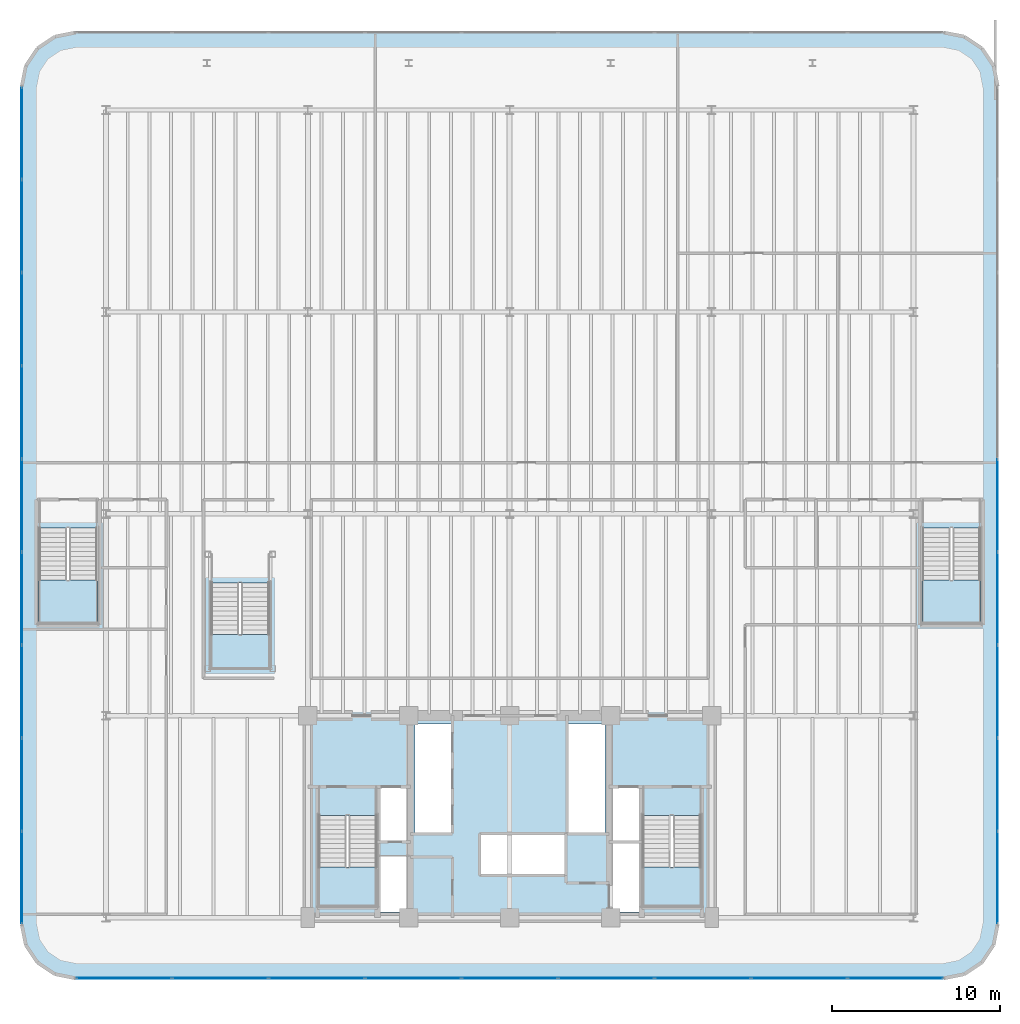
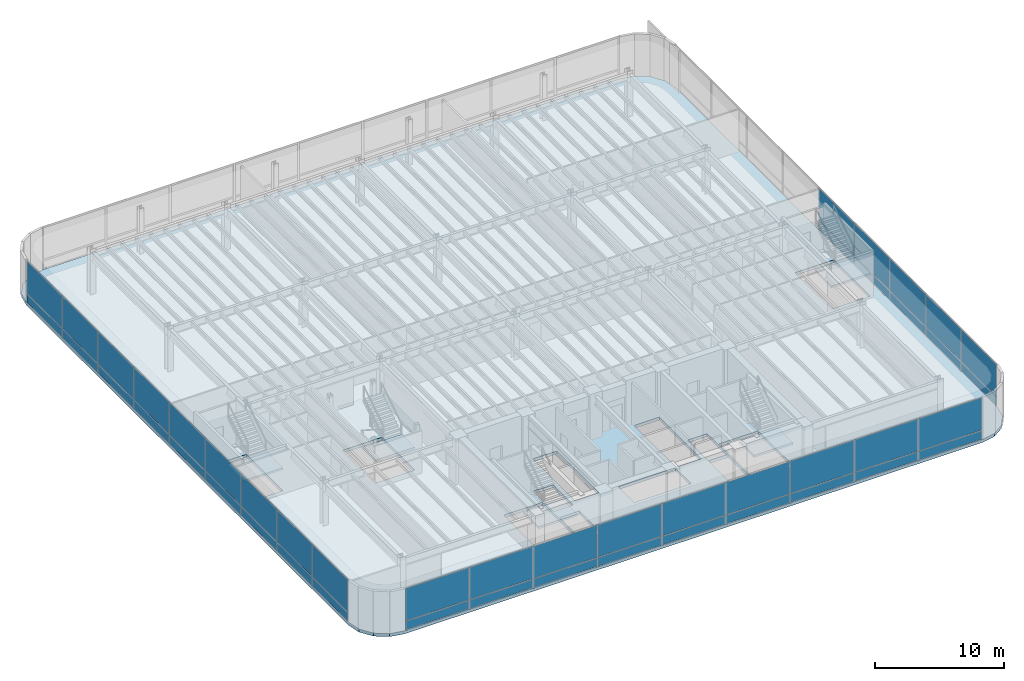
# One storey, part 11 of 19: 46 plates, 6 slabs, 8 elements without a shape of their own.
"""IFC4 building model written with IfcOpenShell, lengths in metres."""

from ifc_helpers import new_model, si_unit, direction, frame, origin, origin_2d, place, context, subcontext, project, spatial, polyline, rectangle, outline, extrude, source, transform, mapped, material, layer, layer_set, type_object, element, aggregate, save


model = new_model("IFC4")

# Units and contexts
model_context = context("Model", 3, precision=1e-05, world=origin(), true_north=direction((0.0, 1.0)))
body_context = subcontext(model_context, "Body", "Model", "MODEL_VIEW")
ifc_project = project(units=[si_unit("LENGTHUNIT", "METRE"), si_unit("AREAUNIT", "SQUARE_METRE"), si_unit("VOLUMEUNIT", "CUBIC_METRE"), si_unit("PLANEANGLEUNIT", "RADIAN"), si_unit("MASSUNIT", "GRAM", prefix="KILO")], contexts=[model_context])

# Site, building, storey
site_placement = place(None, origin())
site = spatial("IfcSite", under=ifc_project, at=site_placement, CompositionType="ELEMENT")
building_placement = place(site_placement, origin())
building = spatial("IfcBuilding", under=site, at=building_placement, Name="Brelvock Crest Care Tower", CompositionType="ELEMENT")
storey_placement = place(building_placement, frame((0.0, 0.0, 14.0400390625)))
storey = spatial("IfcBuildingStorey", under=building, at=storey_placement, Name="L03", CompositionType="ELEMENT", Elevation=14.0400390625)

# Slab
ifc_material_1 = material(Name="Concrete N50 (50 MPa)", Category="concrete")
ifc_layer_1 = layer(ifc_material_1, 0.280029296875, Name="SLB-FL2")
ifc_layer_set_1 = layer_set([ifc_layer_1], Name="Concrete N50 (50 MPa)")
slab_type_1 = type_object("IfcSlabType", Name="SLB-FL2", PredefinedType="FLOOR", material=ifc_layer_set_1)
slab_1_placement = place(storey_placement, frame((0.0, 0.0, -0.280029296875)))
element("IfcSlab", 1, at=slab_1_placement, inside=storey, type_object=slab_type_1, Name="L03 Main Structural Slab", PredefinedType="FLOOR", context=body_context, shape_type="SweptSolid", body=[
    extrude(outline(polyline([(61.800048828125, 2.39990234375), (63.024658203125, 2.6435546875), (64.062744140625, 3.33740234375), (64.75634765625, 4.37548828125), (65.0, 5.60009765625), (65.0, 55.39990234375), (64.75634765625, 56.62451171875), (64.062744140625, 57.66259765625), (63.024658203125, 58.3564453125), (61.800048828125, 58.60009765625), (10.199951171875, 58.60009765625), (8.975341796875, 58.3564453125), (7.937255859375, 57.66259765625), (7.24365234375, 56.62451171875), (7.0, 55.39990234375), (7.0, 5.60009765625), (7.24365234375, 4.37548828125), (7.937255859375, 3.33740234375), (8.975341796875, 2.6435546875), (10.199951171875, 2.39990234375), (61.800048828125, 2.39990234375)]), holes=[polyline([(28.239990234375, 10.580078125), (29.97998046875, 10.580078125), (29.97998046875, 13.739990234375), (28.239990234375, 13.739990234375), (28.239990234375, 10.580078125)]), polyline([(42.02001953125, 10.580078125), (43.760009765625, 10.580078125), (43.760009765625, 13.739990234375), (42.02001953125, 13.739990234375), (42.02001953125, 10.580078125)]), polyline([(28.239990234375, 6.340087890625), (29.97998046875, 6.340087890625), (29.97998046875, 9.64990234375), (28.239990234375, 9.64990234375), (28.239990234375, 6.340087890625)]), polyline([(24.6298828125, 12.080078125), (24.6298828125, 6.699951171875), (28.110107421875, 6.699951171875), (28.110107421875, 12.080078125), (24.6298828125, 12.080078125)]), polyline([(43.889892578125, 12.080078125), (43.889892578125, 6.699951171875), (47.3701171875, 6.699951171875), (47.3701171875, 12.080078125), (43.889892578125, 12.080078125)]), polyline([(8.010009765625, 29.14990234375), (8.010009765625, 23.5), (11.489990234375, 23.5), (11.489990234375, 29.14990234375), (8.010009765625, 29.14990234375)]), polyline([(60.510009765625, 29.14990234375), (60.510009765625, 23.5), (63.989990234375, 23.5), (63.989990234375, 29.14990234375), (60.510009765625, 29.14990234375)]), polyline([(18.239990234375, 25.89990234375), (18.239990234375, 20.800048828125), (21.719970703125, 20.800048828125), (21.719970703125, 25.89990234375), (18.239990234375, 25.89990234375)]), polyline([(42.02001953125, 6.340087890625), (43.760009765625, 6.340087890625), (43.760009765625, 10.5), (42.02001953125, 10.5), (42.02001953125, 6.340087890625)]), polyline([(30.3798828125, 11.030029296875), (32.52001953125, 11.030029296875), (32.52001953125, 17.52001953125), (30.3798828125, 17.52001953125), (30.3798828125, 11.030029296875)]), polyline([(34.22998046875, 8.530029296875), (39.320068359375, 8.530029296875), (39.320068359375, 10.969970703125), (34.22998046875, 10.969970703125), (34.22998046875, 8.530029296875)]), polyline([(39.429931640625, 11.030029296875), (41.669921875, 11.030029296875), (41.669921875, 17.52001953125), (39.429931640625, 17.52001953125), (39.429931640625, 11.030029296875)])]), origin(), (0.0, 0.0, 1.0), 0.280029296875),
])

# Stair, slab
ifc_material_2 = material(Name="Concrete N40 (40 MPa)", Category="concrete")
stair_type_1 = type_object("IfcStairType", Name="ST-CORE1", PredefinedType="HALF_TURN_STAIR", material=ifc_material_2)
stair_1_placement = place(storey_placement, origin())
stair_1 = element("IfcStair", 2, at=stair_1_placement, inside=storey, type_object=stair_type_1, Name="L03 Fire-Isolated Core Stair ST-1", PredefinedType="HALF_TURN_STAIR")
ifc_layer_2 = layer(ifc_material_2, 0.199951171875, Name="STL-1")
ifc_layer_set_2 = layer_set([ifc_layer_2], Name="Concrete N40 (40 MPa)")
slab_type_2 = type_object("IfcSlabType", Name="STL-1", PredefinedType="LANDING", material=ifc_layer_set_2)
slab_2_placement = place(storey_placement, frame((0.0, 0.0, 1.9599609375)))
slab_2 = element("IfcSlab", 3, at=slab_2_placement, type_object=slab_type_2, Name="ST-1 landing 1", PredefinedType="LANDING", context=body_context, shape_type="SweptSolid", body=[
    extrude(outline(polyline([(24.6298828125, 9.0), (24.6298828125, 6.699951171875), (28.110107421875, 6.699951171875), (28.110107421875, 9.0), (24.6298828125, 9.0)])), origin(), (0.0, 0.0, 1.0), 0.199951171875),
])
aggregate(stair_1, [slab_2])

stair_2_placement = place(storey_placement, origin())
stair_2 = element("IfcStair", 4, at=stair_2_placement, inside=storey, type_object=stair_type_1, Name="L03 Fire-Isolated Core Stair ST-2", PredefinedType="HALF_TURN_STAIR")
slab_3_placement = place(storey_placement, frame((0.0, 0.0, 1.9599609375)))
slab_3 = element("IfcSlab", 5, at=slab_3_placement, type_object=slab_type_2, Name="ST-2 landing 1", PredefinedType="LANDING", context=body_context, shape_type="SweptSolid", body=[
    extrude(outline(polyline([(43.889892578125, 9.0), (43.889892578125, 6.699951171875), (47.3701171875, 6.699951171875), (47.3701171875, 9.0), (43.889892578125, 9.0)])), origin(), (0.0, 0.0, 1.0), 0.199951171875),
])
aggregate(stair_2, [slab_3])

stair_type_2 = type_object("IfcStairType", Name="ST-POD1", PredefinedType="HALF_TURN_STAIR", material=ifc_material_2)
stair_3_placement = place(storey_placement, origin())
stair_3 = element("IfcStair", 6, at=stair_3_placement, inside=storey, type_object=stair_type_2, Name="L03 Podium West Fire Stair ST-3", PredefinedType="HALF_TURN_STAIR")
slab_4_placement = place(storey_placement, frame((0.0, 0.0, 1.9599609375)))
slab_4 = element("IfcSlab", 7, at=slab_4_placement, type_object=slab_type_2, Name="ST-3 landing 1", PredefinedType="LANDING", context=body_context, shape_type="SweptSolid", body=[
    extrude(outline(polyline([(8.010009765625, 26.070068359375), (8.010009765625, 23.5), (11.489990234375, 23.5), (11.489990234375, 26.070068359375), (8.010009765625, 26.070068359375)])), origin(), (0.0, 0.0, 1.0), 0.199951171875),
])
aggregate(stair_3, [slab_4])

stair_4_placement = place(storey_placement, origin())
stair_4 = element("IfcStair", 8, at=stair_4_placement, inside=storey, type_object=stair_type_2, Name="L03 Podium East Fire Stair ST-4", PredefinedType="HALF_TURN_STAIR")
slab_5_placement = place(storey_placement, frame((0.0, 0.0, 1.9599609375)))
slab_5 = element("IfcSlab", 9, at=slab_5_placement, type_object=slab_type_2, Name="ST-4 landing 1", PredefinedType="LANDING", context=body_context, shape_type="SweptSolid", body=[
    extrude(outline(polyline([(60.510009765625, 26.070068359375), (60.510009765625, 23.5), (63.989990234375, 23.5), (63.989990234375, 26.070068359375), (60.510009765625, 26.070068359375)])), origin(), (0.0, 0.0, 1.0), 0.199951171875),
])
aggregate(stair_4, [slab_5])

stair_type_3 = type_object("IfcStairType", Name="ST-FEA1", PredefinedType="HALF_TURN_STAIR", material=ifc_material_2)
stair_5_placement = place(storey_placement, origin())
stair_5 = element("IfcStair", 10, at=stair_5_placement, inside=storey, type_object=stair_type_3, Name="L03 Clinic Atrium Feature Stair ST-5", PredefinedType="HALF_TURN_STAIR")
slab_6_placement = place(storey_placement, frame((0.0, 0.0, 1.9599609375)))
slab_6 = element("IfcSlab", 11, at=slab_6_placement, type_object=slab_type_2, Name="ST-5 landing 1", PredefinedType="LANDING", context=body_context, shape_type="SweptSolid", body=[
    extrude(outline(polyline([(18.239990234375, 22.820068359375), (18.239990234375, 20.800048828125), (21.719970703125, 20.800048828125), (21.719970703125, 22.820068359375), (18.239990234375, 22.820068359375)])), origin(), (0.0, 0.0, 1.0), 0.199951171875),
])
aggregate(stair_5, [slab_6])

# Curtain wall, plates
ifc_material_3 = material(Name="Dark Glass Double Glazed Low-E", Category="glass")
ifc_layer_3 = layer(ifc_material_3, 0.179931640625, Name="CWS-1")
ifc_layer_set_3 = layer_set([ifc_layer_3], Name="Dark Glass Double Glazed Low-E")
curtain_wall_type = type_object("IfcCurtainWallType", Name="CWS-1", PredefinedType="NOTDEFINED", material=ifc_layer_set_3)
curtain_wall_1_placement = place(storey_placement, origin())
curtain_wall_1 = element("IfcCurtainWall", 12, at=curtain_wall_1_placement, inside=storey, type_object=curtain_wall_type, Name="L03 Curtain Wall E04", PredefinedType="NOTDEFINED")
ifc_material_4 = material(Name="Dark Glass Shadow-Box Spandrel", Category="glass")
ifc_layer_4 = layer(ifc_material_4, 0.048095703125, Name="CWP-SP1")
ifc_layer_set_4 = layer_set([ifc_layer_4], Name="Dark Glass Shadow-Box Spandrel")
plate_type_1 = type_object("IfcPlateType", Name="CWP-SP1", PredefinedType="SHEET", material=ifc_layer_set_4)
shared_shape_1 = source(origin(), body_context, "Body", "SweptSolid", [
    extrude(rectangle(XDim=5.435791015625, YDim=0.035888671875, at=origin_2d()), origin(), (0.0, 0.0, 1.0), 0.802490234375),
])
plate_1_placement = place(storey_placement, frame((7.0, 8.3828125, 0.06494140625), z_axis=(0.0, 0.0, 1.0), x_axis=(0.0, 1.0, 0.0)))
plate_1 = element("IfcPlate", 13, at=plate_1_placement, type_object=plate_type_1, Name="CW-1 panel 1.1", PredefinedType="SHEET", context=body_context, shape_type="MappedRepresentation", body=[
    mapped(shared_shape_1, transform((0.0, 0.0, 0.0), x_axis=(1.0, 0.0, 0.0), y_axis=(0.0, 1.0, 0.0), z_axis=(0.0, 0.0, 1.0), scale=1.0)),
])
plate_2_placement = place(storey_placement, frame((7.0, 52.6171875, 0.06494140625), z_axis=(0.0, 0.0, 1.0), x_axis=(0.0, 1.0, 0.0)))
plate_2 = element("IfcPlate", 14, at=plate_2_placement, type_object=plate_type_1, Name="CW-1 panel 9.1", PredefinedType="SHEET", context=body_context, shape_type="MappedRepresentation", body=[
    mapped(shared_shape_1, transform((0.0, 0.0, 0.0), x_axis=(1.0, 0.0, 0.0), y_axis=(0.0, 1.0, 0.0), z_axis=(0.0, 0.0, 1.0), scale=1.0)),
])

# Curtain wall, plate
curtain_wall_2_placement = place(storey_placement, origin())
curtain_wall_2 = element("IfcCurtainWall", 15, at=curtain_wall_2_placement, inside=storey, type_object=curtain_wall_type, Name="L03 Curtain Wall E14", PredefinedType="NOTDEFINED")
plate_3_placement = place(storey_placement, frame((65.0, 8.3828125, 0.06494140625), z_axis=(0.0, 0.0, 1.0), x_axis=(0.0, -1.0, 0.0)))
plate_3 = element("IfcPlate", 16, at=plate_3_placement, type_object=plate_type_1, Name="CW-1 panel 9.1", PredefinedType="SHEET", context=body_context, shape_type="MappedRepresentation", body=[
    mapped(shared_shape_1, transform((0.0, 0.0, 0.0), x_axis=(1.0, 0.0, 0.0), y_axis=(0.0, 1.0, 0.0), z_axis=(0.0, 0.0, 1.0), scale=1.0)),
])

# Plate
ifc_layer_5 = layer(ifc_material_3, 0.031982421875, Name="CWP-V1")
ifc_layer_set_5 = layer_set([ifc_layer_5], Name="Dark Glass Double Glazed Low-E")
plate_type_2 = type_object("IfcPlateType", Name="CWP-V1", PredefinedType="CURTAIN_PANEL", material=ifc_layer_set_5)
shared_shape_2 = source(origin(), body_context, "Body", "SweptSolid", [
    extrude(rectangle(XDim=5.435791015625, YDim=0.035888671875, at=origin_2d()), origin(), (0.0, 0.0, 1.0), 3.04248046875),
])
plate_4_placement = place(storey_placement, frame((7.0, 8.3828125, 0.932373046875), z_axis=(0.0, 0.0, 1.0), x_axis=(0.0, 1.0, 0.0)))
plate_4 = element("IfcPlate", 17, at=plate_4_placement, type_object=plate_type_2, Name="CW-1 panel 1.2", PredefinedType="CURTAIN_PANEL", context=body_context, shape_type="MappedRepresentation", body=[
    mapped(shared_shape_2, transform((0.0, 0.0, 0.0), x_axis=(1.0, 0.0, 0.0), y_axis=(0.0, 1.0, 0.0), z_axis=(0.0, 0.0, 1.0), scale=1.0)),
])

plate_5_placement = place(storey_placement, frame((7.0, 52.6171875, 0.932373046875), z_axis=(0.0, 0.0, 1.0), x_axis=(0.0, 1.0, 0.0)))
plate_5 = element("IfcPlate", 18, at=plate_5_placement, type_object=plate_type_2, Name="CW-1 panel 9.2", PredefinedType="CURTAIN_PANEL", context=body_context, shape_type="MappedRepresentation", body=[
    mapped(shared_shape_2, transform((0.0, 0.0, 0.0), x_axis=(1.0, 0.0, 0.0), y_axis=(0.0, 1.0, 0.0), z_axis=(0.0, 0.0, 1.0), scale=1.0)),
])

plate_6_placement = place(storey_placement, frame((65.0, 8.3828125, 0.932373046875), z_axis=(0.0, 0.0, 1.0), x_axis=(0.0, -1.0, 0.0)))
plate_6 = element("IfcPlate", 19, at=plate_6_placement, type_object=plate_type_2, Name="CW-1 panel 9.2", PredefinedType="CURTAIN_PANEL", context=body_context, shape_type="MappedRepresentation", body=[
    mapped(shared_shape_2, transform((0.0, 0.0, 0.0), x_axis=(1.0, 0.0, 0.0), y_axis=(0.0, 1.0, 0.0), z_axis=(0.0, 0.0, 1.0), scale=1.0)),
])

shared_shape_3 = source(origin(), body_context, "Body", "SweptSolid", [
    extrude(rectangle(XDim=5.46826171875, YDim=0.035888671875, at=origin_2d()), origin(), (0.0, 0.0, 1.0), 0.802490234375),
])
plate_7_placement = place(storey_placement, frame((7.0, 13.89990234375, 0.06494140625), z_axis=(0.0, 0.0, 1.0), x_axis=(0.0, 1.0, 0.0)))
plate_7 = element("IfcPlate", 20, at=plate_7_placement, type_object=plate_type_1, Name="CW-1 panel 2.1", PredefinedType="SHEET", context=body_context, shape_type="MappedRepresentation", body=[
    mapped(shared_shape_3, transform((0.0, 0.0, 0.0), x_axis=(1.0, 0.0, 0.0), y_axis=(0.0, 1.0, 0.0), z_axis=(0.0, 0.0, 1.0), scale=1.0)),
])

plate_8_placement = place(storey_placement, frame((7.0, 19.433349609375, 0.06494140625), z_axis=(0.0, 0.0, 1.0), x_axis=(0.0, 1.0, 0.0)))
plate_8 = element("IfcPlate", 21, at=plate_8_placement, type_object=plate_type_1, Name="CW-1 panel 3.1", PredefinedType="SHEET", context=body_context, shape_type="MappedRepresentation", body=[
    mapped(shared_shape_3, transform((0.0, 0.0, 0.0), x_axis=(1.0, 0.0, 0.0), y_axis=(0.0, 1.0, 0.0), z_axis=(0.0, 0.0, 1.0), scale=1.0)),
])

plate_9_placement = place(storey_placement, frame((7.0, 24.966552734375, 0.06494140625), z_axis=(0.0, 0.0, 1.0), x_axis=(0.0, 1.0, 0.0)))
plate_9 = element("IfcPlate", 22, at=plate_9_placement, type_object=plate_type_1, Name="CW-1 panel 4.1", PredefinedType="SHEET", context=body_context, shape_type="MappedRepresentation", body=[
    mapped(shared_shape_3, transform((0.0, 0.0, 0.0), x_axis=(1.0, 0.0, 0.0), y_axis=(0.0, 1.0, 0.0), z_axis=(0.0, 0.0, 1.0), scale=1.0)),
])

plate_10_placement = place(storey_placement, frame((7.0, 30.5, 0.06494140625), z_axis=(0.0, 0.0, 1.0), x_axis=(0.0, 1.0, 0.0)))
plate_10 = element("IfcPlate", 23, at=plate_10_placement, type_object=plate_type_1, Name="CW-1 panel 5.1", PredefinedType="SHEET", context=body_context, shape_type="MappedRepresentation", body=[
    mapped(shared_shape_3, transform((0.0, 0.0, 0.0), x_axis=(1.0, 0.0, 0.0), y_axis=(0.0, 1.0, 0.0), z_axis=(0.0, 0.0, 1.0), scale=1.0)),
])

plate_11_placement = place(storey_placement, frame((7.0, 36.033447265625, 0.06494140625), z_axis=(0.0, 0.0, 1.0), x_axis=(0.0, 1.0, 0.0)))
plate_11 = element("IfcPlate", 24, at=plate_11_placement, type_object=plate_type_1, Name="CW-1 panel 6.1", PredefinedType="SHEET", context=body_context, shape_type="MappedRepresentation", body=[
    mapped(shared_shape_3, transform((0.0, 0.0, 0.0), x_axis=(1.0, 0.0, 0.0), y_axis=(0.0, 1.0, 0.0), z_axis=(0.0, 0.0, 1.0), scale=1.0)),
])

plate_12_placement = place(storey_placement, frame((7.0, 41.566650390625, 0.06494140625), z_axis=(0.0, 0.0, 1.0), x_axis=(0.0, 1.0, 0.0)))
plate_12 = element("IfcPlate", 25, at=plate_12_placement, type_object=plate_type_1, Name="CW-1 panel 7.1", PredefinedType="SHEET", context=body_context, shape_type="MappedRepresentation", body=[
    mapped(shared_shape_3, transform((0.0, 0.0, 0.0), x_axis=(1.0, 0.0, 0.0), y_axis=(0.0, 1.0, 0.0), z_axis=(0.0, 0.0, 1.0), scale=1.0)),
])

plate_13_placement = place(storey_placement, frame((7.0, 47.10009765625, 0.06494140625), z_axis=(0.0, 0.0, 1.0), x_axis=(0.0, 1.0, 0.0)))
plate_13 = element("IfcPlate", 26, at=plate_13_placement, type_object=plate_type_1, Name="CW-1 panel 8.1", PredefinedType="SHEET", context=body_context, shape_type="MappedRepresentation", body=[
    mapped(shared_shape_3, transform((0.0, 0.0, 0.0), x_axis=(1.0, 0.0, 0.0), y_axis=(0.0, 1.0, 0.0), z_axis=(0.0, 0.0, 1.0), scale=1.0)),
])

plate_14_placement = place(storey_placement, frame((65.0, 30.5, 0.06494140625), z_axis=(0.0, 0.0, 1.0), x_axis=(0.0, -1.0, 0.0)))
plate_14 = element("IfcPlate", 27, at=plate_14_placement, type_object=plate_type_1, Name="CW-1 panel 5.1", PredefinedType="SHEET", context=body_context, shape_type="MappedRepresentation", body=[
    mapped(shared_shape_3, transform((0.0, 0.0, 0.0), x_axis=(1.0, 0.0, 0.0), y_axis=(0.0, 1.0, 0.0), z_axis=(0.0, 0.0, 1.0), scale=1.0)),
])

plate_15_placement = place(storey_placement, frame((65.0, 24.966552734375, 0.06494140625), z_axis=(0.0, 0.0, 1.0), x_axis=(0.0, -1.0, 0.0)))
plate_15 = element("IfcPlate", 28, at=plate_15_placement, type_object=plate_type_1, Name="CW-1 panel 6.1", PredefinedType="SHEET", context=body_context, shape_type="MappedRepresentation", body=[
    mapped(shared_shape_3, transform((0.0, 0.0, 0.0), x_axis=(1.0, 0.0, 0.0), y_axis=(0.0, 1.0, 0.0), z_axis=(0.0, 0.0, 1.0), scale=1.0)),
])

plate_16_placement = place(storey_placement, frame((65.0, 19.433349609375, 0.06494140625), z_axis=(0.0, 0.0, 1.0), x_axis=(0.0, -1.0, 0.0)))
plate_16 = element("IfcPlate", 29, at=plate_16_placement, type_object=plate_type_1, Name="CW-1 panel 7.1", PredefinedType="SHEET", context=body_context, shape_type="MappedRepresentation", body=[
    mapped(shared_shape_3, transform((0.0, 0.0, 0.0), x_axis=(1.0, 0.0, 0.0), y_axis=(0.0, 1.0, 0.0), z_axis=(0.0, 0.0, 1.0), scale=1.0)),
])

plate_17_placement = place(storey_placement, frame((65.0, 13.89990234375, 0.06494140625), z_axis=(0.0, 0.0, 1.0), x_axis=(0.0, -1.0, 0.0)))
plate_17 = element("IfcPlate", 30, at=plate_17_placement, type_object=plate_type_1, Name="CW-1 panel 8.1", PredefinedType="SHEET", context=body_context, shape_type="MappedRepresentation", body=[
    mapped(shared_shape_3, transform((0.0, 0.0, 0.0), x_axis=(1.0, 0.0, 0.0), y_axis=(0.0, 1.0, 0.0), z_axis=(0.0, 0.0, 1.0), scale=1.0)),
])

shared_shape_4 = source(origin(), body_context, "Body", "SweptSolid", [
    extrude(rectangle(XDim=5.46826171875, YDim=0.035888671875, at=origin_2d()), origin(), (0.0, 0.0, 1.0), 3.04248046875),
])
plate_18_placement = place(storey_placement, frame((7.0, 13.89990234375, 0.932373046875), z_axis=(0.0, 0.0, 1.0), x_axis=(0.0, 1.0, 0.0)))
plate_18 = element("IfcPlate", 31, at=plate_18_placement, type_object=plate_type_2, Name="CW-1 panel 2.2", PredefinedType="CURTAIN_PANEL", context=body_context, shape_type="MappedRepresentation", body=[
    mapped(shared_shape_4, transform((0.0, 0.0, 0.0), x_axis=(1.0, 0.0, 0.0), y_axis=(0.0, 1.0, 0.0), z_axis=(0.0, 0.0, 1.0), scale=1.0)),
])

plate_19_placement = place(storey_placement, frame((7.0, 19.433349609375, 0.932373046875), z_axis=(0.0, 0.0, 1.0), x_axis=(0.0, 1.0, 0.0)))
plate_19 = element("IfcPlate", 32, at=plate_19_placement, type_object=plate_type_2, Name="CW-1 panel 3.2", PredefinedType="CURTAIN_PANEL", context=body_context, shape_type="MappedRepresentation", body=[
    mapped(shared_shape_4, transform((0.0, 0.0, 0.0), x_axis=(1.0, 0.0, 0.0), y_axis=(0.0, 1.0, 0.0), z_axis=(0.0, 0.0, 1.0), scale=1.0)),
])

plate_20_placement = place(storey_placement, frame((7.0, 24.966552734375, 0.932373046875), z_axis=(0.0, 0.0, 1.0), x_axis=(0.0, 1.0, 0.0)))
plate_20 = element("IfcPlate", 33, at=plate_20_placement, type_object=plate_type_2, Name="CW-1 panel 4.2", PredefinedType="CURTAIN_PANEL", context=body_context, shape_type="MappedRepresentation", body=[
    mapped(shared_shape_4, transform((0.0, 0.0, 0.0), x_axis=(1.0, 0.0, 0.0), y_axis=(0.0, 1.0, 0.0), z_axis=(0.0, 0.0, 1.0), scale=1.0)),
])

plate_21_placement = place(storey_placement, frame((7.0, 30.5, 0.932373046875), z_axis=(0.0, 0.0, 1.0), x_axis=(0.0, 1.0, 0.0)))
plate_21 = element("IfcPlate", 34, at=plate_21_placement, type_object=plate_type_2, Name="CW-1 panel 5.2", PredefinedType="CURTAIN_PANEL", context=body_context, shape_type="MappedRepresentation", body=[
    mapped(shared_shape_4, transform((0.0, 0.0, 0.0), x_axis=(1.0, 0.0, 0.0), y_axis=(0.0, 1.0, 0.0), z_axis=(0.0, 0.0, 1.0), scale=1.0)),
])

plate_22_placement = place(storey_placement, frame((7.0, 36.033447265625, 0.932373046875), z_axis=(0.0, 0.0, 1.0), x_axis=(0.0, 1.0, 0.0)))
plate_22 = element("IfcPlate", 35, at=plate_22_placement, type_object=plate_type_2, Name="CW-1 panel 6.2", PredefinedType="CURTAIN_PANEL", context=body_context, shape_type="MappedRepresentation", body=[
    mapped(shared_shape_4, transform((0.0, 0.0, 0.0), x_axis=(1.0, 0.0, 0.0), y_axis=(0.0, 1.0, 0.0), z_axis=(0.0, 0.0, 1.0), scale=1.0)),
])

plate_23_placement = place(storey_placement, frame((7.0, 41.566650390625, 0.932373046875), z_axis=(0.0, 0.0, 1.0), x_axis=(0.0, 1.0, 0.0)))
plate_23 = element("IfcPlate", 36, at=plate_23_placement, type_object=plate_type_2, Name="CW-1 panel 7.2", PredefinedType="CURTAIN_PANEL", context=body_context, shape_type="MappedRepresentation", body=[
    mapped(shared_shape_4, transform((0.0, 0.0, 0.0), x_axis=(1.0, 0.0, 0.0), y_axis=(0.0, 1.0, 0.0), z_axis=(0.0, 0.0, 1.0), scale=1.0)),
])

plate_24_placement = place(storey_placement, frame((7.0, 47.10009765625, 0.932373046875), z_axis=(0.0, 0.0, 1.0), x_axis=(0.0, 1.0, 0.0)))
plate_24 = element("IfcPlate", 37, at=plate_24_placement, type_object=plate_type_2, Name="CW-1 panel 8.2", PredefinedType="CURTAIN_PANEL", context=body_context, shape_type="MappedRepresentation", body=[
    mapped(shared_shape_4, transform((0.0, 0.0, 0.0), x_axis=(1.0, 0.0, 0.0), y_axis=(0.0, 1.0, 0.0), z_axis=(0.0, 0.0, 1.0), scale=1.0)),
])

aggregate(curtain_wall_1, [plate_1, plate_4, plate_7, plate_18, plate_8, plate_19, plate_9, plate_20, plate_10, plate_21, plate_11, plate_22, plate_12, plate_23, plate_13, plate_24, plate_2, plate_5])

plate_25_placement = place(storey_placement, frame((65.0, 30.5, 0.932373046875), z_axis=(0.0, 0.0, 1.0), x_axis=(0.0, -1.0, 0.0)))
plate_25 = element("IfcPlate", 38, at=plate_25_placement, type_object=plate_type_2, Name="CW-1 panel 5.2", PredefinedType="CURTAIN_PANEL", context=body_context, shape_type="MappedRepresentation", body=[
    mapped(shared_shape_4, transform((0.0, 0.0, 0.0), x_axis=(1.0, 0.0, 0.0), y_axis=(0.0, 1.0, 0.0), z_axis=(0.0, 0.0, 1.0), scale=1.0)),
])

plate_26_placement = place(storey_placement, frame((65.0, 24.966552734375, 0.932373046875), z_axis=(0.0, 0.0, 1.0), x_axis=(0.0, -1.0, 0.0)))
plate_26 = element("IfcPlate", 39, at=plate_26_placement, type_object=plate_type_2, Name="CW-1 panel 6.2", PredefinedType="CURTAIN_PANEL", context=body_context, shape_type="MappedRepresentation", body=[
    mapped(shared_shape_4, transform((0.0, 0.0, 0.0), x_axis=(1.0, 0.0, 0.0), y_axis=(0.0, 1.0, 0.0), z_axis=(0.0, 0.0, 1.0), scale=1.0)),
])

plate_27_placement = place(storey_placement, frame((65.0, 19.433349609375, 0.932373046875), z_axis=(0.0, 0.0, 1.0), x_axis=(0.0, -1.0, 0.0)))
plate_27 = element("IfcPlate", 40, at=plate_27_placement, type_object=plate_type_2, Name="CW-1 panel 7.2", PredefinedType="CURTAIN_PANEL", context=body_context, shape_type="MappedRepresentation", body=[
    mapped(shared_shape_4, transform((0.0, 0.0, 0.0), x_axis=(1.0, 0.0, 0.0), y_axis=(0.0, 1.0, 0.0), z_axis=(0.0, 0.0, 1.0), scale=1.0)),
])

plate_28_placement = place(storey_placement, frame((65.0, 13.89990234375, 0.932373046875), z_axis=(0.0, 0.0, 1.0), x_axis=(0.0, -1.0, 0.0)))
plate_28 = element("IfcPlate", 41, at=plate_28_placement, type_object=plate_type_2, Name="CW-1 panel 8.2", PredefinedType="CURTAIN_PANEL", context=body_context, shape_type="MappedRepresentation", body=[
    mapped(shared_shape_4, transform((0.0, 0.0, 0.0), x_axis=(1.0, 0.0, 0.0), y_axis=(0.0, 1.0, 0.0), z_axis=(0.0, 0.0, 1.0), scale=1.0)),
])

aggregate(curtain_wall_2, [plate_14, plate_25, plate_15, plate_26, plate_16, plate_27, plate_17, plate_28, plate_3, plate_6])

# Curtain wall, plates
curtain_wall_3_placement = place(storey_placement, origin())
curtain_wall_3 = element("IfcCurtainWall", 42, at=curtain_wall_3_placement, inside=storey, type_object=curtain_wall_type, Name="L03 Curtain Wall E19", PredefinedType="NOTDEFINED")
shared_shape_5 = source(origin(), body_context, "Body", "SweptSolid", [
    extrude(rectangle(XDim=5.6357421875, YDim=0.035888671875, at=origin_2d()), origin(), (0.0, 0.0, 1.0), 0.802490234375),
])
plate_29_placement = place(storey_placement, frame((58.9169921875, 2.39990234375, 0.06494140625), z_axis=(0.0, 0.0, 1.0), x_axis=(-1.0, 0.0, 0.0)))
plate_29 = element("IfcPlate", 43, at=plate_29_placement, type_object=plate_type_1, Name="CW-1 panel 1.1", PredefinedType="SHEET", context=body_context, shape_type="MappedRepresentation", body=[
    mapped(shared_shape_5, transform((0.0, 0.0, 0.0), x_axis=(1.0, 0.0, 0.0), y_axis=(0.0, 1.0, 0.0), z_axis=(0.0, 0.0, 1.0), scale=1.0)),
])
plate_30_placement = place(storey_placement, frame((13.0830078125, 2.39990234375, 0.06494140625), z_axis=(0.0, 0.0, 1.0), x_axis=(-1.0, 0.0, 0.0)))
plate_30 = element("IfcPlate", 44, at=plate_30_placement, type_object=plate_type_1, Name="CW-1 panel 9.1", PredefinedType="SHEET", context=body_context, shape_type="MappedRepresentation", body=[
    mapped(shared_shape_5, transform((0.0, 0.0, 0.0), x_axis=(1.0, 0.0, 0.0), y_axis=(0.0, 1.0, 0.0), z_axis=(0.0, 0.0, 1.0), scale=1.0)),
])
shared_shape_6 = source(origin(), body_context, "Body", "SweptSolid", [
    extrude(rectangle(XDim=5.6357421875, YDim=0.035888671875, at=origin_2d()), origin(), (0.0, 0.0, 1.0), 3.04248046875),
])
plate_31_placement = place(storey_placement, frame((58.9169921875, 2.39990234375, 0.932373046875), z_axis=(0.0, 0.0, 1.0), x_axis=(-1.0, 0.0, 0.0)))
plate_31 = element("IfcPlate", 45, at=plate_31_placement, type_object=plate_type_2, Name="CW-1 panel 1.2", PredefinedType="CURTAIN_PANEL", context=body_context, shape_type="MappedRepresentation", body=[
    mapped(shared_shape_6, transform((0.0, 0.0, 0.0), x_axis=(1.0, 0.0, 0.0), y_axis=(0.0, 1.0, 0.0), z_axis=(0.0, 0.0, 1.0), scale=1.0)),
])
plate_32_placement = place(storey_placement, frame((13.0830078125, 2.39990234375, 0.932373046875), z_axis=(0.0, 0.0, 1.0), x_axis=(-1.0, 0.0, 0.0)))
plate_32 = element("IfcPlate", 46, at=plate_32_placement, type_object=plate_type_2, Name="CW-1 panel 9.2", PredefinedType="CURTAIN_PANEL", context=body_context, shape_type="MappedRepresentation", body=[
    mapped(shared_shape_6, transform((0.0, 0.0, 0.0), x_axis=(1.0, 0.0, 0.0), y_axis=(0.0, 1.0, 0.0), z_axis=(0.0, 0.0, 1.0), scale=1.0)),
])
shared_shape_7 = source(origin(), body_context, "Body", "SweptSolid", [
    extrude(rectangle(XDim=5.668212890625, YDim=0.035888671875, at=origin_2d()), origin(), (0.0, 0.0, 1.0), 0.802490234375),
])
plate_33_placement = place(storey_placement, frame((53.199951171875, 2.39990234375, 0.06494140625), z_axis=(0.0, 0.0, 1.0), x_axis=(-1.0, 0.0, 0.0)))
plate_33 = element("IfcPlate", 47, at=plate_33_placement, type_object=plate_type_1, Name="CW-1 panel 2.1", PredefinedType="SHEET", context=body_context, shape_type="MappedRepresentation", body=[
    mapped(shared_shape_7, transform((0.0, 0.0, 0.0), x_axis=(1.0, 0.0, 0.0), y_axis=(0.0, 1.0, 0.0), z_axis=(0.0, 0.0, 1.0), scale=1.0)),
])
plate_34_placement = place(storey_placement, frame((47.466552734375, 2.39990234375, 0.06494140625), z_axis=(0.0, 0.0, 1.0), x_axis=(-1.0, 0.0, 0.0)))
plate_34 = element("IfcPlate", 48, at=plate_34_placement, type_object=plate_type_1, Name="CW-1 panel 3.1", PredefinedType="SHEET", context=body_context, shape_type="MappedRepresentation", body=[
    mapped(shared_shape_7, transform((0.0, 0.0, 0.0), x_axis=(1.0, 0.0, 0.0), y_axis=(0.0, 1.0, 0.0), z_axis=(0.0, 0.0, 1.0), scale=1.0)),
])
plate_35_placement = place(storey_placement, frame((41.7333984375, 2.39990234375, 0.06494140625), z_axis=(0.0, 0.0, 1.0), x_axis=(-1.0, 0.0, 0.0)))
plate_35 = element("IfcPlate", 49, at=plate_35_placement, type_object=plate_type_1, Name="CW-1 panel 4.1", PredefinedType="SHEET", context=body_context, shape_type="MappedRepresentation", body=[
    mapped(shared_shape_7, transform((0.0, 0.0, 0.0), x_axis=(1.0, 0.0, 0.0), y_axis=(0.0, 1.0, 0.0), z_axis=(0.0, 0.0, 1.0), scale=1.0)),
])
plate_36_placement = place(storey_placement, frame((36.0, 2.39990234375, 0.06494140625), z_axis=(0.0, 0.0, 1.0), x_axis=(-1.0, 0.0, 0.0)))
plate_36 = element("IfcPlate", 50, at=plate_36_placement, type_object=plate_type_1, Name="CW-1 panel 5.1", PredefinedType="SHEET", context=body_context, shape_type="MappedRepresentation", body=[
    mapped(shared_shape_7, transform((0.0, 0.0, 0.0), x_axis=(1.0, 0.0, 0.0), y_axis=(0.0, 1.0, 0.0), z_axis=(0.0, 0.0, 1.0), scale=1.0)),
])
plate_37_placement = place(storey_placement, frame((30.2666015625, 2.39990234375, 0.06494140625), z_axis=(0.0, 0.0, 1.0), x_axis=(-1.0, 0.0, 0.0)))
plate_37 = element("IfcPlate", 51, at=plate_37_placement, type_object=plate_type_1, Name="CW-1 panel 6.1", PredefinedType="SHEET", context=body_context, shape_type="MappedRepresentation", body=[
    mapped(shared_shape_7, transform((0.0, 0.0, 0.0), x_axis=(1.0, 0.0, 0.0), y_axis=(0.0, 1.0, 0.0), z_axis=(0.0, 0.0, 1.0), scale=1.0)),
])
plate_38_placement = place(storey_placement, frame((24.533447265625, 2.39990234375, 0.06494140625), z_axis=(0.0, 0.0, 1.0), x_axis=(-1.0, 0.0, 0.0)))
plate_38 = element("IfcPlate", 52, at=plate_38_placement, type_object=plate_type_1, Name="CW-1 panel 7.1", PredefinedType="SHEET", context=body_context, shape_type="MappedRepresentation", body=[
    mapped(shared_shape_7, transform((0.0, 0.0, 0.0), x_axis=(1.0, 0.0, 0.0), y_axis=(0.0, 1.0, 0.0), z_axis=(0.0, 0.0, 1.0), scale=1.0)),
])
plate_39_placement = place(storey_placement, frame((18.800048828125, 2.39990234375, 0.06494140625), z_axis=(0.0, 0.0, 1.0), x_axis=(-1.0, 0.0, 0.0)))
plate_39 = element("IfcPlate", 53, at=plate_39_placement, type_object=plate_type_1, Name="CW-1 panel 8.1", PredefinedType="SHEET", context=body_context, shape_type="MappedRepresentation", body=[
    mapped(shared_shape_7, transform((0.0, 0.0, 0.0), x_axis=(1.0, 0.0, 0.0), y_axis=(0.0, 1.0, 0.0), z_axis=(0.0, 0.0, 1.0), scale=1.0)),
])
shared_shape_8 = source(origin(), body_context, "Body", "SweptSolid", [
    extrude(rectangle(XDim=5.668212890625, YDim=0.035888671875, at=origin_2d()), origin(), (0.0, 0.0, 1.0), 3.04248046875),
])
plate_40_placement = place(storey_placement, frame((53.199951171875, 2.39990234375, 0.932373046875), z_axis=(0.0, 0.0, 1.0), x_axis=(-1.0, 0.0, 0.0)))
plate_40 = element("IfcPlate", 54, at=plate_40_placement, type_object=plate_type_2, Name="CW-1 panel 2.2", PredefinedType="CURTAIN_PANEL", context=body_context, shape_type="MappedRepresentation", body=[
    mapped(shared_shape_8, transform((0.0, 0.0, 0.0), x_axis=(1.0, 0.0, 0.0), y_axis=(0.0, 1.0, 0.0), z_axis=(0.0, 0.0, 1.0), scale=1.0)),
])
plate_41_placement = place(storey_placement, frame((47.466552734375, 2.39990234375, 0.932373046875), z_axis=(0.0, 0.0, 1.0), x_axis=(-1.0, 0.0, 0.0)))
plate_41 = element("IfcPlate", 55, at=plate_41_placement, type_object=plate_type_2, Name="CW-1 panel 3.2", PredefinedType="CURTAIN_PANEL", context=body_context, shape_type="MappedRepresentation", body=[
    mapped(shared_shape_8, transform((0.0, 0.0, 0.0), x_axis=(1.0, 0.0, 0.0), y_axis=(0.0, 1.0, 0.0), z_axis=(0.0, 0.0, 1.0), scale=1.0)),
])
plate_42_placement = place(storey_placement, frame((41.7333984375, 2.39990234375, 0.932373046875), z_axis=(0.0, 0.0, 1.0), x_axis=(-1.0, 0.0, 0.0)))
plate_42 = element("IfcPlate", 56, at=plate_42_placement, type_object=plate_type_2, Name="CW-1 panel 4.2", PredefinedType="CURTAIN_PANEL", context=body_context, shape_type="MappedRepresentation", body=[
    mapped(shared_shape_8, transform((0.0, 0.0, 0.0), x_axis=(1.0, 0.0, 0.0), y_axis=(0.0, 1.0, 0.0), z_axis=(0.0, 0.0, 1.0), scale=1.0)),
])
plate_43_placement = place(storey_placement, frame((36.0, 2.39990234375, 0.932373046875), z_axis=(0.0, 0.0, 1.0), x_axis=(-1.0, 0.0, 0.0)))
plate_43 = element("IfcPlate", 57, at=plate_43_placement, type_object=plate_type_2, Name="CW-1 panel 5.2", PredefinedType="CURTAIN_PANEL", context=body_context, shape_type="MappedRepresentation", body=[
    mapped(shared_shape_8, transform((0.0, 0.0, 0.0), x_axis=(1.0, 0.0, 0.0), y_axis=(0.0, 1.0, 0.0), z_axis=(0.0, 0.0, 1.0), scale=1.0)),
])
plate_44_placement = place(storey_placement, frame((30.2666015625, 2.39990234375, 0.932373046875), z_axis=(0.0, 0.0, 1.0), x_axis=(-1.0, 0.0, 0.0)))
plate_44 = element("IfcPlate", 58, at=plate_44_placement, type_object=plate_type_2, Name="CW-1 panel 6.2", PredefinedType="CURTAIN_PANEL", context=body_context, shape_type="MappedRepresentation", body=[
    mapped(shared_shape_8, transform((0.0, 0.0, 0.0), x_axis=(1.0, 0.0, 0.0), y_axis=(0.0, 1.0, 0.0), z_axis=(0.0, 0.0, 1.0), scale=1.0)),
])
plate_45_placement = place(storey_placement, frame((24.533447265625, 2.39990234375, 0.932373046875), z_axis=(0.0, 0.0, 1.0), x_axis=(-1.0, 0.0, 0.0)))
plate_45 = element("IfcPlate", 59, at=plate_45_placement, type_object=plate_type_2, Name="CW-1 panel 7.2", PredefinedType="CURTAIN_PANEL", context=body_context, shape_type="MappedRepresentation", body=[
    mapped(shared_shape_8, transform((0.0, 0.0, 0.0), x_axis=(1.0, 0.0, 0.0), y_axis=(0.0, 1.0, 0.0), z_axis=(0.0, 0.0, 1.0), scale=1.0)),
])
plate_46_placement = place(storey_placement, frame((18.800048828125, 2.39990234375, 0.932373046875), z_axis=(0.0, 0.0, 1.0), x_axis=(-1.0, 0.0, 0.0)))
plate_46 = element("IfcPlate", 60, at=plate_46_placement, type_object=plate_type_2, Name="CW-1 panel 8.2", PredefinedType="CURTAIN_PANEL", context=body_context, shape_type="MappedRepresentation", body=[
    mapped(shared_shape_8, transform((0.0, 0.0, 0.0), x_axis=(1.0, 0.0, 0.0), y_axis=(0.0, 1.0, 0.0), z_axis=(0.0, 0.0, 1.0), scale=1.0)),
])
aggregate(curtain_wall_3, [plate_29, plate_31, plate_33, plate_40, plate_34, plate_41, plate_35, plate_42, plate_36, plate_43, plate_37, plate_44, plate_38, plate_45, plate_39, plate_46, plate_30, plate_32])

save(model, "model.ifc")
